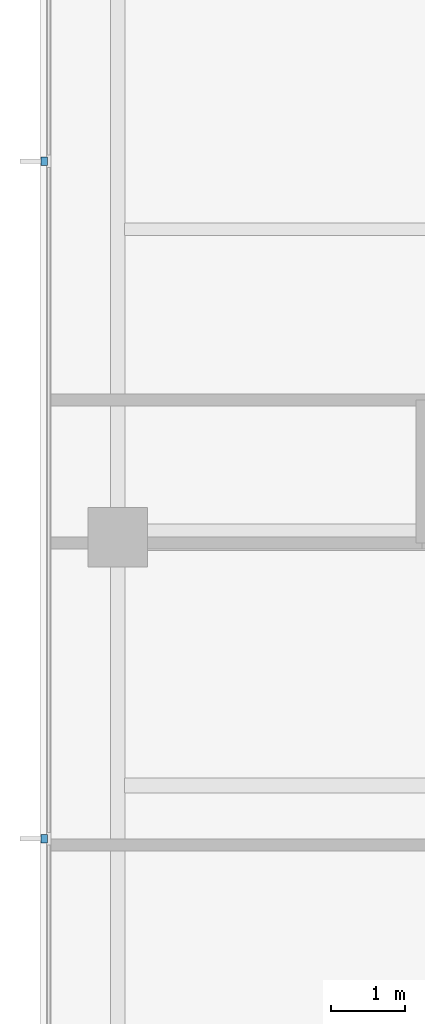
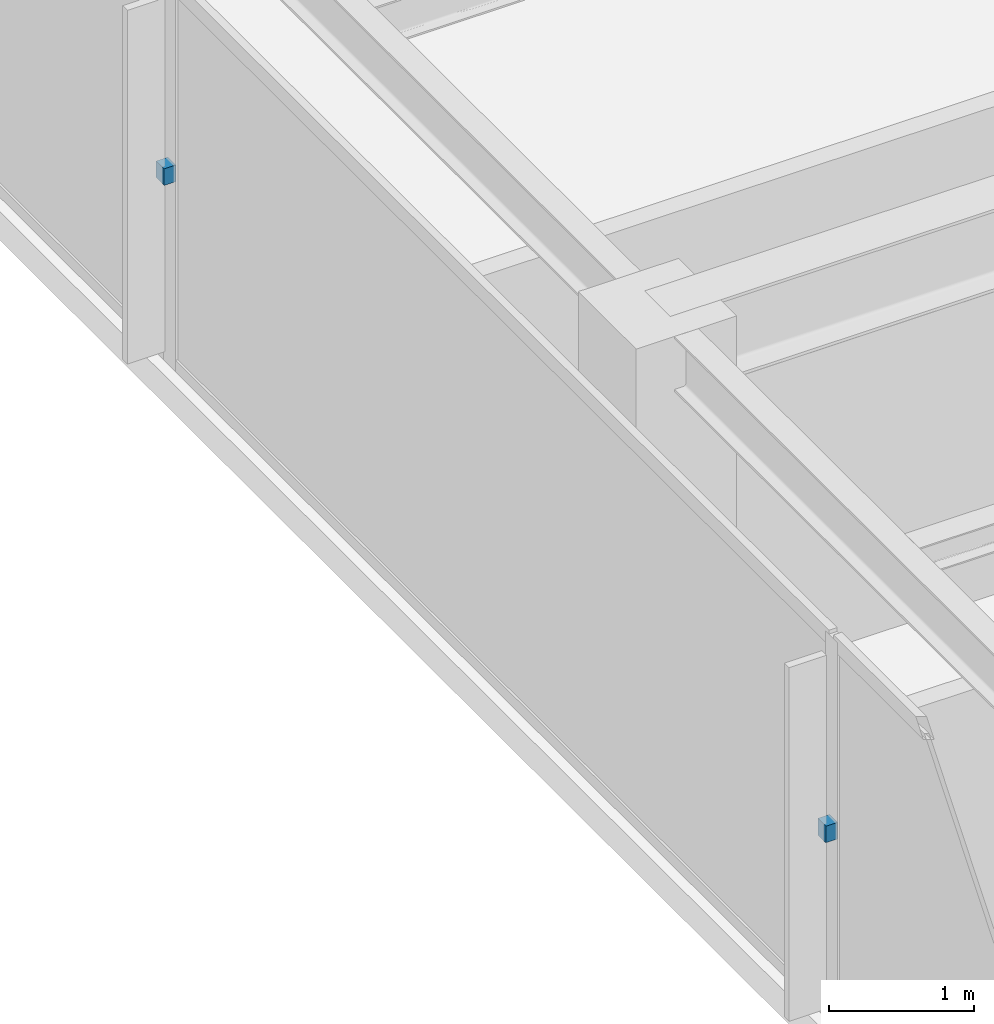
# One storey, part 9 of 11: 2 discrete accessories.
"""IFC4 building model written with IfcOpenShell, lengths in metres."""

from ifc_helpers import new_model, si_unit, direction, frame, origin, place, context, subcontext, project, spatial, polyline, outline, extrude, material, type_object, element, save


model = new_model("IFC4")

# Units and contexts
model_context = context("Model", 3, precision=1e-05, world=origin(), true_north=direction((0.0, 1.0)))
body_context = subcontext(model_context, "Body", "Model", "MODEL_VIEW")
ifc_project = project(units=[si_unit("LENGTHUNIT", "METRE"), si_unit("AREAUNIT", "SQUARE_METRE"), si_unit("VOLUMEUNIT", "CUBIC_METRE"), si_unit("PLANEANGLEUNIT", "RADIAN"), si_unit("MASSUNIT", "GRAM", prefix="KILO")], contexts=[model_context])

# Site, building, storey
site_placement = place(None, origin())
site = spatial("IfcSite", under=ifc_project, at=site_placement, CompositionType="ELEMENT")
building_placement = place(site_placement, origin())
building = spatial("IfcBuilding", under=site, at=building_placement, Name="Qalmaran Belvedere Hotel", CompositionType="ELEMENT")
storey_placement = place(building_placement, frame((0.0, 0.0, 266.89990234375)))
storey = spatial("IfcBuildingStorey", under=building, at=storey_placement, Name="L69", CompositionType="ELEMENT", Elevation=266.89990234375)

# Discrete accessories
ifc_material = material(Name="Stainless Steel 1.4401", Category="steel")
discrete_accessory_type = type_object("IfcDiscreteAccessoryType", Name="BRK-FIN-SS316", PredefinedType="BRACKET", material=ifc_material)
discrete_accessory_1_placement = place(storey_placement, frame((0.0, 0.0, 1.580078125)))
element("IfcDiscreteAccessory", 1, at=discrete_accessory_1_placement, inside=storey, type_object=discrete_accessory_type, Name="L69 Fin Bracket 1", PredefinedType="BRACKET", context=body_context, shape_type="SweptSolid", body=[
    extrude(outline(polyline([(11.455078125, 25.62158203125), (11.362548828125, 25.62158203125), (11.362548828125, 25.51171875), (11.455078125, 25.51171875), (11.455078125, 25.62158203125)])), origin(), (0.0, 0.0, 1.0), 0.14013671875),
])
discrete_accessory_2_placement = place(storey_placement, frame((0.0, 0.0, 1.580078125)))
element("IfcDiscreteAccessory", 2, at=discrete_accessory_2_placement, inside=storey, type_object=discrete_accessory_type, Name="L69 Fin Bracket 2", PredefinedType="BRACKET", context=body_context, shape_type="SweptSolid", body=[
    extrude(outline(polyline([(11.455078125, 16.48828125), (11.362548828125, 16.48828125), (11.362548828125, 16.37841796875), (11.455078125, 16.37841796875), (11.455078125, 16.48828125)])), origin(), (0.0, 0.0, 1.0), 0.14013671875),
])

save(model, "model.ifc")
